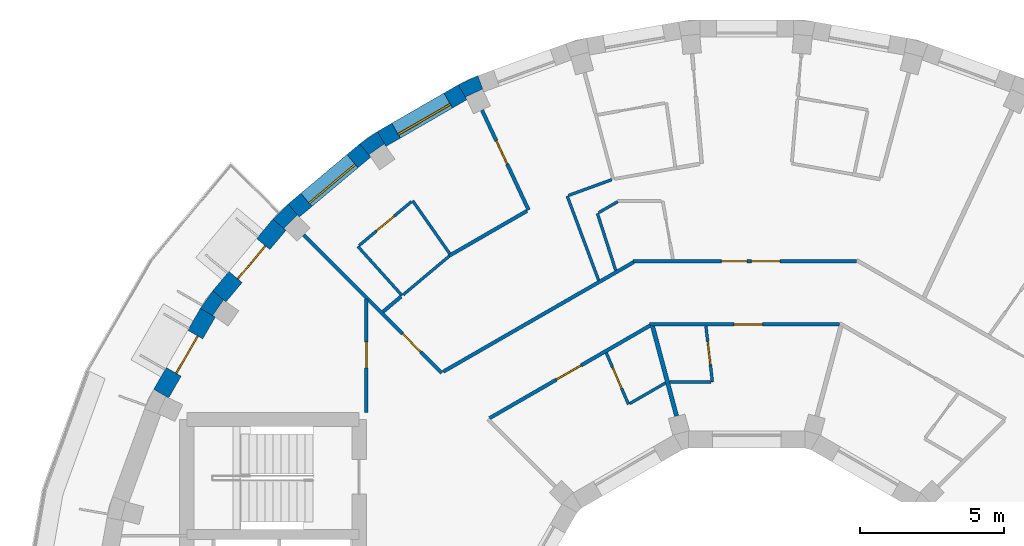
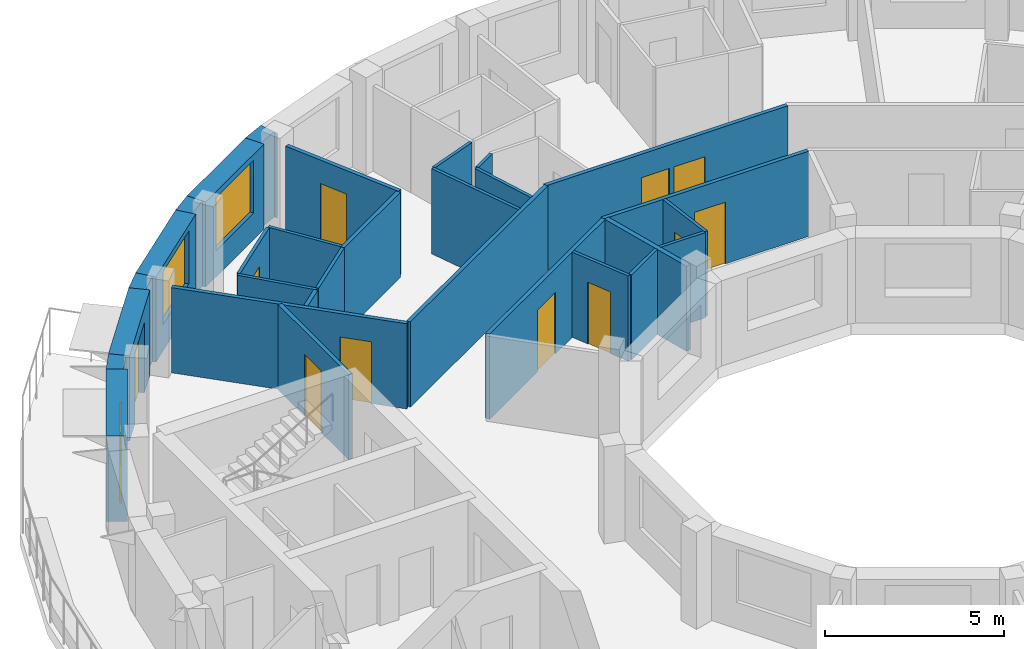
# One storey, part 7 of 10: 30 walls, 12 doors, 2 windows, 14 openings.
"""IFC4 building model written with IfcOpenShell, lengths in metres."""

from ifc_helpers import new_model, si_unit, direction, frame, frame_2d, origin, place, context, subcontext, project, spatial, polyline, rectangle, outline, extrude, material, layer, layer_set, type_object, element, fill, save


model = new_model("IFC4")

# Units and contexts
model_context = context("Model", 3, precision=1e-05, world=origin(), true_north=direction((0.0, 1.0)))
body_context = subcontext(model_context, "Body", "Model", "MODEL_VIEW")
ifc_project = project(units=[si_unit("LENGTHUNIT", "METRE"), si_unit("AREAUNIT", "SQUARE_METRE"), si_unit("VOLUMEUNIT", "CUBIC_METRE"), si_unit("PLANEANGLEUNIT", "RADIAN"), si_unit("MASSUNIT", "GRAM", prefix="KILO")], contexts=[model_context])

# Site, building, storey
site_placement = place(None, origin())
site = spatial("IfcSite", under=ifc_project, at=site_placement, CompositionType="ELEMENT")
building_placement = place(site_placement, origin())
building = spatial("IfcBuilding", under=site, at=building_placement, Name="Saqina Gate Tower", CompositionType="ELEMENT")
storey_placement = place(building_placement, frame((0.0, 0.0, 239.60009765625)))
storey = spatial("IfcBuildingStorey", under=building, at=storey_placement, Name="L68", CompositionType="ELEMENT", Elevation=239.60009765625)

# Walls
ifc_material_1 = material(Name="Brick masonry (buff)", Category="masonry")
wall_type_1 = type_object("IfcWallType", Name="BRICK PIER COPING BUFF", PredefinedType="SOLIDWALL", material=ifc_material_1)
wall_1_placement = place(storey_placement, origin())
element("IfcWall", 1, at=wall_1_placement, inside=storey, type_object=wall_type_1, Name="Pier cap L68 column 12", PredefinedType="SOLIDWALL", context=body_context, shape_type="SweptSolid", body=[
    extrude(outline(polyline([(-9.3642578125, 20.974609375), (-10.048095703125, 20.65576171875), (-9.748291015625, 20.135986328125), (-9.79296875, 20.23193359375), (-9.203857421875, 20.506591796875), (-9.1591796875, 20.410888671875), (-9.3642578125, 20.974609375)])), origin(), (0.0, 0.0, 1.0), 2.89990234375),
])
wall_2_placement = place(storey_placement, origin())
element("IfcWall", 2, at=wall_2_placement, inside=storey, type_object=wall_type_1, Name="Pier cap L68 column 13", PredefinedType="SOLIDWALL", context=body_context, shape_type="SweptSolid", body=[
    extrude(outline(polyline([(-12.8642578125, 19.02978515625), (-13.482421875, 18.59716796875), (-13.0966796875, 18.137451171875), (-13.157470703125, 18.22412109375), (-12.625, 18.596923828125), (-12.564208984375, 18.51025390625), (-12.8642578125, 19.02978515625)])), origin(), (0.0, 0.0, 1.0), 2.89990234375),
])
wall_3_placement = place(storey_placement, origin())
element("IfcWall", 3, at=wall_3_placement, inside=storey, type_object=wall_type_1, Name="Pier cap L68 column 14", PredefinedType="SOLIDWALL", context=body_context, shape_type="SweptSolid", body=[
    extrude(outline(polyline([(-16.5068359375, 15.973388671875), (-16.04736328125, 15.587646484375), (-16.1220703125, 15.662353515625), (-15.662353515625, 16.1220703125), (-15.587646484375, 16.04736328125), (-15.973388671875, 16.5068359375), (-16.5068359375, 15.973388671875)])), origin(), (0.0, 0.0, 1.0), 2.89990234375),
])
wall_4_placement = place(storey_placement, origin())
element("IfcWall", 4, at=wall_4_placement, inside=storey, type_object=wall_type_1, Name="Pier cap L68 column 15", PredefinedType="SOLIDWALL", context=body_context, shape_type="SweptSolid", body=[
    extrude(outline(polyline([(-19.02978515625, 12.8642578125), (-18.51025390625, 12.564208984375), (-18.596923828125, 12.625), (-18.22412109375, 13.157470703125), (-18.137451171875, 13.0966796875), (-18.59716796875, 13.482421875), (-19.02978515625, 12.8642578125)])), origin(), (0.0, 0.0, 1.0), 2.89990234375),
])

# Wall, opening, window
ifc_material_2 = material(Name="Brick masonry (buff)", Category="masonry")
ifc_layer_1 = layer(ifc_material_2, 0.60009765625)
ifc_layer_set_1 = layer_set([ifc_layer_1], Name="FW-BRICK-BUFF")
wall_type_2 = type_object("IfcWallType", Name="FW-BRICK-BUFF", PredefinedType="SOLIDWALL", material=ifc_layer_set_1)
wall_5_placement = place(storey_placement, frame((-9.898193359375, 20.39599609375, 0.0), z_axis=(0.0, 0.0, 1.0), x_axis=(-0.866016800201, -0.500014901547, 0.0)))
wall_5 = element("IfcWall", 5, at=wall_5_placement, inside=storey, type_object=wall_type_2, Name="Facade wall L68 facet 12", PredefinedType="SOLIDWALL", context=body_context, shape_type="SweptSolid", body=[
    extrude(rectangle(XDim=3.251953125, YDim=0.60009765625, at=frame_2d((1.6259765625, 0.0))), origin(), (0.0, 0.0, 1.0), 2.89990234375),
])
opening_1_placement = place(wall_5_placement, frame((0.57568359375, 0.0, 0.89990234375)))
opening_1 = element("IfcOpeningElement", 6, at=opening_1_placement, cuts=wall_5, Name="Opening G20-W10", PredefinedType="OPENING", context=body_context, shape_type="SweptSolid", body=[
    extrude(rectangle(XDim=2.10009765625, YDim=1.800048828125, at=frame_2d((1.050048828125, 0.89990234375))), frame((0.0, 0.31201171875, 0.0), z_axis=(0.0, -1.0, 0.0), x_axis=(1.0, 0.0, 0.0)), (0.0, 0.0, 1.0), 0.6240234375),
])
ifc_material_3 = material(Name="Aluminium glazing", Category="aluminium")
window_type = type_object("IfcWindowType", Name="WN-D", PartitioningType="SINGLE_PANEL", PredefinedType="WINDOW", material=ifc_material_3)
window_1_placement = place(opening_1_placement, origin())
window_1 = element("IfcWindow", 7, at=window_1_placement, inside=storey, type_object=window_type, Name="Window L68 facet 12", OverallHeight=1.800048828125, OverallWidth=2.10009765625, PartitioningType="SINGLE_PANEL", PredefinedType="WINDOW", context=body_context, shape_type="SweptSolid", body=[
    extrude(rectangle(XDim=2.10009765625, YDim=1.800048828125, at=frame_2d((1.050048828125, 0.89990234375))), frame((0.0, 0.179931640625, 0.0), z_axis=(0.0, -1.0, 0.0), x_axis=(1.0, 0.0, 0.0)), (0.0, 0.0, 1.0), 0.06005859375),
])
fill(opening_1, window_1)

wall_6_placement = place(storey_placement, frame((-13.28955078125, 18.3671875, 0.0), z_axis=(0.0, 0.0, 1.0), x_axis=(-0.766056773982, -0.64277291405, 0.0)))
wall_6 = element("IfcWall", 8, at=wall_6_placement, inside=storey, type_object=wall_type_2, Name="Facade wall L68 facet 13", PredefinedType="SOLIDWALL", context=body_context, shape_type="SweptSolid", body=[
    extrude(rectangle(XDim=3.251708984375, YDim=0.60009765625, at=frame_2d((1.6259765625, 0.0))), origin(), (0.0, 0.0, 1.0), 2.89990234375),
])
opening_2_placement = place(wall_6_placement, frame((0.57568359375, 0.0, 0.89990234375)))
opening_2 = element("IfcOpeningElement", 9, at=opening_2_placement, cuts=wall_6, Name="Opening G20-W11", PredefinedType="OPENING", context=body_context, shape_type="SweptSolid", body=[
    extrude(rectangle(XDim=2.10009765625, YDim=1.800048828125, at=frame_2d((1.050048828125, 0.89990234375))), frame((0.0, 0.31201171875, 0.0), z_axis=(0.0, -1.0, 0.0), x_axis=(1.0, 0.0, 0.0)), (0.0, 0.0, 1.0), 0.6240234375),
])
window_2_placement = place(opening_2_placement, origin())
window_2 = element("IfcWindow", 10, at=window_2_placement, inside=storey, type_object=window_type, Name="Window L68 facet 13", OverallHeight=1.800048828125, OverallWidth=2.10009765625, PartitioningType="SINGLE_PANEL", PredefinedType="WINDOW", context=body_context, shape_type="SweptSolid", body=[
    extrude(rectangle(XDim=2.10009765625, YDim=1.800048828125, at=frame_2d((1.050048828125, 0.89990234375))), frame((0.0, 0.179931640625, 0.0), z_axis=(0.0, -1.0, 0.0), x_axis=(1.0, 0.0, 0.0)), (0.0, 0.0, 1.0), 0.06005859375),
])
fill(opening_2, window_2)

# Wall, opening, door
wall_7_placement = place(storey_placement, frame((-16.277099609375, 15.780517578125, 0.0), z_axis=(0.0, 0.0, 1.0), x_axis=(-0.64277291405, -0.766056773982, 0.0)))
wall_7 = element("IfcWall", 11, at=wall_7_placement, inside=storey, type_object=wall_type_2, Name="Facade wall L68 facet 14", PredefinedType="SOLIDWALL", context=body_context, shape_type="SweptSolid", body=[
    extrude(rectangle(XDim=3.251708984375, YDim=0.60009765625, at=frame_2d((1.6259765625, 0.0))), origin(), (0.0, 0.0, 1.0), 2.89990234375),
])
opening_3_placement = place(wall_7_placement, frame((0.875732421875, 0.0, 0.0)))
opening_3 = element("IfcOpeningElement", 12, at=opening_3_placement, cuts=wall_7, Name="Opening G20-D80", PredefinedType="OPENING", context=body_context, shape_type="SweptSolid", body=[
    extrude(rectangle(XDim=1.5, YDim=2.39990234375, at=frame_2d((0.75, 1.199951171875))), frame((0.0, 0.31201171875, 0.0), z_axis=(0.0, -1.0, 0.0), x_axis=(1.0, 0.0, 0.0)), (0.0, 0.0, 1.0), 0.6240234375),
])
ifc_material_4 = material(Name="Aluminium glazing", Category="aluminium")
door_type_1 = type_object("IfcDoorType", Name="GD-D", OperationType="DOUBLE_DOOR_SINGLE_SWING", PredefinedType="DOOR", material=ifc_material_4)
door_1_placement = place(opening_3_placement, frame((1.5, 0.0, 0.0), z_axis=(0.0, 0.0, 1.0), x_axis=(-1.0, 0.0, 0.0)))
door_1 = element("IfcDoor", 13, at=door_1_placement, inside=storey, type_object=door_type_1, Name="Terrace door L68 facet 14", OperationType="DOUBLE_DOOR_SINGLE_SWING", OverallHeight=2.39990234375, OverallWidth=1.5, PredefinedType="DOOR", context=body_context, shape_type="SweptSolid", body=[
    extrude(rectangle(XDim=1.5, YDim=2.39990234375, at=frame_2d((0.75, 1.199951171875))), frame((0.0, -0.0751953125, 0.0), z_axis=(0.0, -1.0, 0.0), x_axis=(1.0, 0.0, 0.0)), (0.0, 0.0, 1.0), 0.050048828125),
])
fill(opening_3, door_1)

wall_8_placement = place(storey_placement, frame((-18.77001953125, 12.71435546875, 0.0), z_axis=(0.0, 0.0, 1.0), x_axis=(-0.500014901547, -0.866016800201, 0.0)))
wall_8 = element("IfcWall", 14, at=wall_8_placement, inside=storey, type_object=wall_type_2, Name="Facade wall L68 facet 15", PredefinedType="SOLIDWALL", context=body_context, shape_type="SweptSolid", body=[
    extrude(rectangle(XDim=3.251953125, YDim=0.60009765625, at=frame_2d((1.6259765625, 0.0))), origin(), (0.0, 0.0, 1.0), 2.89990234375),
])
opening_4_placement = place(wall_8_placement, frame((0.875732421875, 0.0, 0.0)))
opening_4 = element("IfcOpeningElement", 15, at=opening_4_placement, cuts=wall_8, Name="Opening G20-D81", PredefinedType="OPENING", context=body_context, shape_type="SweptSolid", body=[
    extrude(rectangle(XDim=1.5, YDim=2.39990234375, at=frame_2d((0.75, 1.199951171875))), frame((0.0, 0.31201171875, 0.0), z_axis=(0.0, -1.0, 0.0), x_axis=(1.0, 0.0, 0.0)), (0.0, 0.0, 1.0), 0.6240234375),
])
door_2_placement = place(opening_4_placement, frame((1.5, 0.0, 0.0), z_axis=(0.0, 0.0, 1.0), x_axis=(-1.0, 0.0, 0.0)))
door_2 = element("IfcDoor", 16, at=door_2_placement, inside=storey, type_object=door_type_1, Name="Terrace door L68 facet 15", OperationType="DOUBLE_DOOR_SINGLE_SWING", OverallHeight=2.39990234375, OverallWidth=1.5, PredefinedType="DOOR", context=body_context, shape_type="SweptSolid", body=[
    extrude(rectangle(XDim=1.5, YDim=2.39990234375, at=frame_2d((0.75, 1.199951171875))), frame((0.0, -0.0751953125, 0.0), z_axis=(0.0, -1.0, 0.0), x_axis=(1.0, 0.0, 0.0)), (0.0, 0.0, 1.0), 0.050048828125),
])
fill(opening_4, door_2)

ifc_material_5 = material(Name="Gypsum board on steel studs, 100 mm", Category="steel")
ifc_layer_2 = layer(ifc_material_5, 0.10009765625)
ifc_layer_set_2 = layer_set([ifc_layer_2], Name="PARTITION 100")
wall_type_3 = type_object("IfcWallType", Name="PARTITION 100", PredefinedType="PARTITIONING", material=ifc_layer_set_2)
wall_9_placement = place(storey_placement, frame((-1.421875, 12.247802734375, 0.0), z_axis=(0.0, 0.0, 1.0), x_axis=(0.115265376048, -0.993334733654, 0.0)))
wall_9 = element("IfcWall", 17, at=wall_9_placement, inside=storey, type_object=wall_type_3, Name="PARTITION PW3-02", PredefinedType="PARTITIONING", context=body_context, shape_type="SweptSolid", body=[
    extrude(rectangle(XDim=1.95068359375, YDim=0.10009765625, at=frame_2d((0.975341796875, 0.0))), origin(), (0.0, 0.0, 1.0), 2.89990234375),
])
opening_5_placement = place(wall_9_placement, frame((0.544189453125, 0.0, 0.0)))
opening_5 = element("IfcOpeningElement", 18, at=opening_5_placement, cuts=wall_9, Name="Opening G20-D11", PredefinedType="OPENING", context=body_context, shape_type="SweptSolid", body=[
    extrude(rectangle(XDim=0.800048828125, YDim=2.10009765625, at=frame_2d((0.39990234375, 1.050048828125))), frame((0.0, 0.06201171875, 0.0), z_axis=(0.0, -1.0, 0.0), x_axis=(1.0, 0.0, 0.0)), (0.0, 0.0, 1.0), 0.1240234375),
])
ifc_material_6 = material(Name="Timber door leaf, 800 mm", Category="wood")
door_type_2 = type_object("IfcDoorType", Name="DOOR 800 TIMBER", OperationType="SINGLE_SWING_LEFT", PredefinedType="DOOR", material=ifc_material_6)
door_3_placement = place(opening_5_placement, origin())
door_3 = element("IfcDoor", 19, at=door_3_placement, inside=storey, type_object=door_type_2, Name="DOOR G20-D11", OperationType="SINGLE_SWING_LEFT", OverallHeight=2.10009765625, OverallWidth=0.800048828125, PredefinedType="DOOR", context=body_context, shape_type="SweptSolid", body=[
    extrude(rectangle(XDim=0.800048828125, YDim=2.10009765625, at=frame_2d((0.39990234375, 1.050048828125))), frame((0.0, 0.02490234375, 0.0), z_axis=(0.0, -1.0, 0.0), x_axis=(1.0, 0.0, 0.0)), (0.0, 0.0, 1.0), 0.050048828125),
])
fill(opening_5, door_3)

# Walls
wall_10_placement = place(storey_placement, frame((-5.201904296875, 16.176025390625, 0.0), z_axis=(0.0, 0.0, 1.0), x_axis=(0.305778015567, -0.95210283331, 0.0)))
element("IfcWall", 20, at=wall_10_placement, inside=storey, type_object=wall_type_3, Name="PARTITION PW3-07", PredefinedType="PARTITIONING", context=body_context, shape_type="SweptSolid", body=[
    extrude(rectangle(XDim=2.08544921875, YDim=0.10009765625, at=frame_2d((1.042724609375, 0.0))), origin(), (0.0, 0.0, 1.0), 2.89990234375),
])
wall_11_placement = place(storey_placement, frame((-6.254150390625, 16.783447265625, 0.0), z_axis=(0.0, 0.0, 1.0), x_axis=(0.349354612584, -0.936990584086, 0.0)))
element("IfcWall", 21, at=wall_11_placement, inside=storey, type_object=wall_type_3, Name="PARTITION PW3-09", PredefinedType="PARTITIONING", context=body_context, shape_type="SweptSolid", body=[
    extrude(rectangle(XDim=3.132080078125, YDim=0.10009765625, at=frame_2d((1.56591796875, 0.0))), origin(), (0.0, 0.0, 1.0), 2.89990234375),
])

# Wall, opening, door
wall_12_placement = place(storey_placement, frame((-4.89208984375, 11.317626953125, 0.0), z_axis=(0.0, 0.0, 1.0), x_axis=(0.396862705984, -0.917877983503, 0.0)))
wall_12 = element("IfcWall", 22, at=wall_12_placement, inside=storey, type_object=wall_type_3, Name="PARTITION PW3-10", PredefinedType="PARTITIONING", context=body_context, shape_type="SweptSolid", body=[
    extrude(rectangle(XDim=1.95068359375, YDim=0.10009765625, at=frame_2d((0.975341796875, 0.0))), origin(), (0.0, 0.0, 1.0), 2.89990234375),
])
opening_6_placement = place(wall_12_placement, frame((0.544189453125, 0.0, 0.0)))
opening_6 = element("IfcOpeningElement", 23, at=opening_6_placement, cuts=wall_12, Name="Opening G20-D14", PredefinedType="OPENING", context=body_context, shape_type="SweptSolid", body=[
    extrude(rectangle(XDim=0.800048828125, YDim=2.10009765625, at=frame_2d((0.39990234375, 1.050048828125))), frame((0.0, 0.06201171875, 0.0), z_axis=(0.0, -1.0, 0.0), x_axis=(1.0, 0.0, 0.0)), (0.0, 0.0, 1.0), 0.1240234375),
])
door_4_placement = place(opening_6_placement, frame((0.800048828125, 0.0, 0.0), z_axis=(0.0, 0.0, 1.0), x_axis=(-1.0, 0.0, 0.0)))
door_4 = element("IfcDoor", 24, at=door_4_placement, inside=storey, type_object=door_type_2, Name="DOOR G20-D14", OperationType="SINGLE_SWING_RIGHT", OverallHeight=2.10009765625, OverallWidth=0.800048828125, PredefinedType="DOOR", context=body_context, shape_type="SweptSolid", body=[
    extrude(rectangle(XDim=0.800048828125, YDim=2.10009765625, at=frame_2d((0.39990234375, 1.050048828125))), frame((0.0, 0.02490234375, 0.0), z_axis=(0.0, -1.0, 0.0), x_axis=(1.0, 0.0, 0.0)), (0.0, 0.0, 1.0), 0.050048828125),
])
fill(opening_6, door_4)

# Walls
wall_13_placement = place(storey_placement, frame((-11.63623046875, 16.6181640625, 0.0), z_axis=(0.0, 0.0, 1.0), x_axis=(0.573600447395, -0.819135231051, 0.0)))
element("IfcWall", 25, at=wall_13_placement, inside=storey, type_object=wall_type_3, Name="PARTITION PW3-12", PredefinedType="PARTITIONING", context=body_context, shape_type="SweptSolid", body=[
    extrude(rectangle(XDim=2.254150390625, YDim=0.10009765625, at=frame_2d((1.126953125, 0.0))), origin(), (0.0, 0.0, 1.0), 2.89990234375),
])
wall_14_placement = place(storey_placement, frame((-13.54248046875, 15.0224609375, 0.0), z_axis=(0.0, 0.0, 1.0), x_axis=(0.669234230629, -0.743051508682, 0.0)))
element("IfcWall", 26, at=wall_14_placement, inside=storey, type_object=wall_type_3, Name="PARTITION PW3-14", PredefinedType="PARTITIONING", context=body_context, shape_type="SweptSolid", body=[
    extrude(rectangle(XDim=2.302001953125, YDim=0.10009765625, at=frame_2d((1.15087890625, 0.0))), origin(), (0.0, 0.0, 1.0), 2.89990234375),
])
wall_15_placement = place(storey_placement, frame((-2.68798828125, 10.31005859375, 0.0), z_axis=(0.0, 0.0, 1.0), x_axis=(1.0, 0.0, 0.0)))
element("IfcWall", 27, at=wall_15_placement, inside=storey, type_object=wall_type_3, Name="PARTITION PW3-26", PredefinedType="PARTITIONING", context=body_context, shape_type="SweptSolid", body=[
    extrude(rectangle(XDim=1.44091796875, YDim=0.10009765625, at=frame_2d((0.720458984375, 0.0))), origin(), (0.0, 0.0, 1.0), 2.89990234375),
])
wall_16_placement = place(storey_placement, frame((-6.206298828125, 16.802978515625, 0.0), z_axis=(0.0, 0.0, 1.0), x_axis=(0.939561559708, 0.342380016237, 0.0)))
element("IfcWall", 28, at=wall_16_placement, inside=storey, type_object=wall_type_3, Name="PARTITION PW3-32", PredefinedType="PARTITIONING", context=body_context, shape_type="SweptSolid", body=[
    extrude(rectangle(XDim=1.60009765625, YDim=0.10009765625, at=frame_2d((0.800048828125, 0.0))), origin(), (0.0, 0.0, 1.0), 2.89990234375),
])
wall_17_placement = place(storey_placement, frame((-4.07470703125, 9.552001953125, 0.0), z_axis=(0.0, 0.0, 1.0), x_axis=(0.865843856352, 0.500314317622, 0.0)))
element("IfcWall", 29, at=wall_17_placement, inside=storey, type_object=wall_type_3, Name="PARTITION PW3-35", PredefinedType="PARTITIONING", context=body_context, shape_type="SweptSolid", body=[
    extrude(rectangle(XDim=1.43994140625, YDim=0.10009765625, at=frame_2d((0.719970703125, 0.0))), origin(), (0.0, 0.0, 1.0), 2.89990234375),
])
wall_18_placement = place(storey_placement, frame((-5.15673828125, 16.2021484375, 0.0), z_axis=(0.0, 0.0, 1.0), x_axis=(0.865797482265, 0.500394564022, 0.0)))
element("IfcWall", 30, at=wall_18_placement, inside=storey, type_object=wall_type_3, Name="PARTITION PW3-36", PredefinedType="PARTITIONING", context=body_context, shape_type="SweptSolid", body=[
    extrude(rectangle(XDim=0.76513671875, YDim=0.10009765625, at=frame_2d((0.382568359375, 0.0))), origin(), (0.0, 0.0, 1.0), 2.89990234375),
])
wall_19_placement = place(storey_placement, frame((-11.963623046875, 13.34423828125, 0.0), z_axis=(0.0, 0.0, 1.0), x_axis=(0.766141495573, 0.64267192934, 0.0)))
element("IfcWall", 31, at=wall_19_placement, inside=storey, type_object=wall_type_3, Name="PARTITION PW3-38", PredefinedType="PARTITIONING", context=body_context, shape_type="SweptSolid", body=[
    extrude(rectangle(XDim=2.092041015625, YDim=0.10009765625, at=frame_2d((1.0458984375, 0.0))), origin(), (0.0, 0.0, 1.0), 2.89990234375),
])

# Wall, opening, door
wall_20_placement = place(storey_placement, frame((-13.502685546875, 15.055908203125, 0.0), z_axis=(0.0, 0.0, 1.0), x_axis=(0.766160636549, 0.642649110326, 0.0)))
wall_20 = element("IfcWall", 32, at=wall_20_placement, inside=storey, type_object=wall_type_3, Name="PARTITION PW3-39", PredefinedType="PARTITIONING", context=body_context, shape_type="SweptSolid", body=[
    extrude(rectangle(XDim=2.3837890625, YDim=0.10009765625, at=frame_2d((1.19189453125, 0.0))), origin(), (0.0, 0.0, 1.0), 2.89990234375),
])
opening_7_placement = place(wall_20_placement, frame((0.791259765625, 0.0, 0.0)))
opening_7 = element("IfcOpeningElement", 33, at=opening_7_placement, cuts=wall_20, Name="Opening G20-D17", PredefinedType="OPENING", context=body_context, shape_type="SweptSolid", body=[
    extrude(rectangle(XDim=0.800048828125, YDim=2.10009765625, at=frame_2d((0.39990234375, 1.050048828125))), frame((0.0, 0.06201171875, 0.0), z_axis=(0.0, -1.0, 0.0), x_axis=(1.0, 0.0, 0.0)), (0.0, 0.0, 1.0), 0.1240234375),
])
door_5_placement = place(opening_7_placement, origin())
door_5 = element("IfcDoor", 34, at=door_5_placement, inside=storey, type_object=door_type_2, Name="DOOR G20-D17", OperationType="SINGLE_SWING_LEFT", OverallHeight=2.10009765625, OverallWidth=0.800048828125, PredefinedType="DOOR", context=body_context, shape_type="SweptSolid", body=[
    extrude(rectangle(XDim=0.800048828125, YDim=2.10009765625, at=frame_2d((0.39990234375, 1.050048828125))), frame((0.0, 0.02490234375, 0.0), z_axis=(0.0, -1.0, 0.0), x_axis=(1.0, 0.0, 0.0)), (0.0, 0.0, 1.0), 0.050048828125),
])
fill(opening_7, door_5)

ifc_material_7 = material(Name="Gypsum board on steel studs, 125 mm, fire rated", Category="steel")
ifc_layer_3 = layer(ifc_material_7, 0.125)
ifc_layer_set_3 = layer_set([ifc_layer_3], Name="PARTITION EI 30 125")
wall_type_4 = type_object("IfcWallType", Name="PARTITION EI 30 125", PredefinedType="PARTITIONING", material=ifc_layer_set_3)
wall_21_placement = place(storey_placement, frame((-9.22021484375, 19.770751953125, 0.0), z_axis=(0.0, 0.0, 1.0), x_axis=(0.422997061032, -0.906131053633, 0.0)))
wall_21 = element("IfcWall", 35, at=wall_21_placement, inside=storey, type_object=wall_type_4, Name="PARTITION PW1-05", PredefinedType="PARTITIONING", context=body_context, shape_type="SweptSolid", body=[
    extrude(rectangle(XDim=3.83251953125, YDim=0.125, at=frame_2d((1.916259765625, 0.0))), origin(), (0.0, 0.0, 1.0), 2.89990234375),
])
opening_8_placement = place(wall_21_placement, frame((1.17578125, 0.0, 0.0)))
opening_8 = element("IfcOpeningElement", 36, at=opening_8_placement, cuts=wall_21, Name="Opening G20-D15", PredefinedType="OPENING", context=body_context, shape_type="SweptSolid", body=[
    extrude(rectangle(XDim=0.89990234375, YDim=2.10009765625, at=frame_2d((0.449951171875, 1.050048828125))), frame((0.0, 0.074462890625, 0.0), z_axis=(0.0, -1.0, 0.0), x_axis=(1.0, 0.0, 0.0)), (0.0, 0.0, 1.0), 0.14892578125),
])
ifc_material_8 = material(Name="Fire door leaf EI 30, 900 mm")
door_type_3 = type_object("IfcDoorType", Name="DOOR 900 EI 30", OperationType="SINGLE_SWING_LEFT", PredefinedType="DOOR", material=ifc_material_8)
door_6_placement = place(opening_8_placement, origin())
door_6 = element("IfcDoor", 37, at=door_6_placement, inside=storey, type_object=door_type_3, Name="DOOR G20-D15", OperationType="SINGLE_SWING_LEFT", OverallHeight=2.10009765625, OverallWidth=0.89990234375, PredefinedType="DOOR", context=body_context, shape_type="SweptSolid", body=[
    extrude(rectangle(XDim=0.89990234375, YDim=2.10009765625, at=frame_2d((0.449951171875, 1.050048828125))), frame((0.0, 0.02490234375, 0.0), z_axis=(0.0, -1.0, 0.0), x_axis=(1.0, 0.0, 0.0)), (0.0, 0.0, 1.0), 0.050048828125),
])
fill(opening_8, door_6)

wall_22_placement = place(storey_placement, frame((-15.425537109375, 15.425537109375, 0.0), z_axis=(0.0, 0.0, 1.0), x_axis=(0.707106781187, -0.707106781187, 0.0)))
wall_22 = element("IfcWall", 38, at=wall_22_placement, inside=storey, type_object=wall_type_4, Name="PARTITION PW1-06", PredefinedType="PARTITIONING", context=body_context, shape_type="SweptSolid", body=[
    extrude(rectangle(XDim=6.793212890625, YDim=0.125, at=frame_2d((3.396484375, 0.0))), origin(), (0.0, 0.0, 1.0), 2.89990234375),
])
opening_9_placement = place(wall_22_placement, frame((4.8642578125, 0.0, 0.0)))
opening_9 = element("IfcOpeningElement", 39, at=opening_9_placement, cuts=wall_22, Name="Opening G20-D18", PredefinedType="OPENING", context=body_context, shape_type="SweptSolid", body=[
    extrude(rectangle(XDim=0.89990234375, YDim=2.10009765625, at=frame_2d((0.449951171875, 1.050048828125))), frame((0.0, 0.074462890625, 0.0), z_axis=(0.0, -1.0, 0.0), x_axis=(1.0, 0.0, 0.0)), (0.0, 0.0, 1.0), 0.14892578125),
])
door_7_placement = place(opening_9_placement, origin())
door_7 = element("IfcDoor", 40, at=door_7_placement, inside=storey, type_object=door_type_3, Name="DOOR G20-D18", OperationType="SINGLE_SWING_RIGHT", OverallHeight=2.10009765625, OverallWidth=0.89990234375, PredefinedType="DOOR", context=body_context, shape_type="SweptSolid", body=[
    extrude(rectangle(XDim=0.89990234375, YDim=2.10009765625, at=frame_2d((0.449951171875, 1.050048828125))), frame((0.0, 0.02490234375, 0.0), z_axis=(0.0, -1.0, 0.0), x_axis=(1.0, 0.0, 0.0)), (0.0, 0.0, 1.0), 0.050048828125),
])
fill(opening_9, door_7)

wall_23_placement = place(storey_placement, frame((-3.384521484375, 12.31005859375, 0.0), z_axis=(0.0, 0.0, 1.0), x_axis=(1.0, 0.0, 0.0)))
wall_23 = element("IfcWall", 41, at=wall_23_placement, inside=storey, type_object=wall_type_4, Name="PARTITION PW1-19", PredefinedType="PARTITIONING", context=body_context, shape_type="SweptSolid", body=[
    extrude(rectangle(XDim=6.6201171875, YDim=0.125, at=frame_2d((3.31005859375, 0.0))), origin(), (0.0, 0.0, 1.0), 2.89990234375),
])
opening_10_placement = place(wall_23_placement, frame((2.935546875, 0.0, 0.0)))
opening_10 = element("IfcOpeningElement", 42, at=opening_10_placement, cuts=wall_23, Name="Opening G20-D08", PredefinedType="OPENING", context=body_context, shape_type="SweptSolid", body=[
    extrude(rectangle(XDim=1.0, YDim=2.10009765625, at=frame_2d((0.5, 1.050048828125))), frame((0.0, 0.074462890625, 0.0), z_axis=(0.0, -1.0, 0.0), x_axis=(1.0, 0.0, 0.0)), (0.0, 0.0, 1.0), 0.14892578125),
])
ifc_material_9 = material(Name="Fire door leaf EI 30, 1000 mm")
door_type_4 = type_object("IfcDoorType", Name="DOOR 1000 EI 30", OperationType="SINGLE_SWING_LEFT", PredefinedType="DOOR", material=ifc_material_9)
door_8_placement = place(opening_10_placement, frame((1.0, 0.0, 0.0), z_axis=(0.0, 0.0, 1.0), x_axis=(-1.0, 0.0, 0.0)))
door_8 = element("IfcDoor", 43, at=door_8_placement, inside=storey, type_object=door_type_4, Name="DOOR G20-D08", OperationType="SINGLE_SWING_LEFT", OverallHeight=2.10009765625, OverallWidth=1.0, PredefinedType="DOOR", context=body_context, shape_type="SweptSolid", body=[
    extrude(rectangle(XDim=1.0, YDim=2.10009765625, at=frame_2d((0.5, 1.050048828125))), frame((0.0, 0.02490234375, 0.0), z_axis=(0.0, -1.0, 0.0), x_axis=(1.0, 0.0, 0.0)), (0.0, 0.0, 1.0), 0.050048828125),
])
fill(opening_10, door_8)

# Wall, openings, doors
wall_24_placement = place(storey_placement, frame((-3.960205078125, 14.510009765625, 0.0), z_axis=(0.0, 0.0, 1.0), x_axis=(1.0, 0.0, 0.0)))
wall_24 = element("IfcWall", 44, at=wall_24_placement, inside=storey, type_object=wall_type_4, Name="PARTITION PW1-20", PredefinedType="PARTITIONING", context=body_context, shape_type="SweptSolid", body=[
    extrude(rectangle(XDim=7.78466796875, YDim=0.125, at=frame_2d((3.892333984375, 0.0))), origin(), (0.0, 0.0, 1.0), 2.89990234375),
])
opening_11_placement = place(wall_24_placement, frame((4.12451171875, 0.0, 0.0)))
opening_11 = element("IfcOpeningElement", 45, at=opening_11_placement, cuts=wall_24, Name="Opening G20-D07", PredefinedType="OPENING", context=body_context, shape_type="SweptSolid", body=[
    extrude(rectangle(XDim=1.0, YDim=2.10009765625, at=frame_2d((0.5, 1.050048828125))), frame((0.0, 0.074462890625, 0.0), z_axis=(0.0, -1.0, 0.0), x_axis=(1.0, 0.0, 0.0)), (0.0, 0.0, 1.0), 0.14892578125),
])
opening_12_placement = place(wall_24_placement, frame((3.07470703125, 0.0, 0.0)))
opening_12 = element("IfcOpeningElement", 46, at=opening_12_placement, cuts=wall_24, Name="Opening G20-D09", PredefinedType="OPENING", context=body_context, shape_type="SweptSolid", body=[
    extrude(rectangle(XDim=0.89990234375, YDim=2.10009765625, at=frame_2d((0.449951171875, 1.050048828125))), frame((0.0, 0.074462890625, 0.0), z_axis=(0.0, -1.0, 0.0), x_axis=(1.0, 0.0, 0.0)), (0.0, 0.0, 1.0), 0.14892578125),
])
door_9_placement = place(opening_11_placement, origin())
door_9 = element("IfcDoor", 47, at=door_9_placement, inside=storey, type_object=door_type_4, Name="DOOR G20-D07", OperationType="SINGLE_SWING_RIGHT", OverallHeight=2.10009765625, OverallWidth=1.0, PredefinedType="DOOR", context=body_context, shape_type="SweptSolid", body=[
    extrude(rectangle(XDim=1.0, YDim=2.10009765625, at=frame_2d((0.5, 1.050048828125))), frame((0.0, 0.02490234375, 0.0), z_axis=(0.0, -1.0, 0.0), x_axis=(1.0, 0.0, 0.0)), (0.0, 0.0, 1.0), 0.050048828125),
])
fill(opening_11, door_9)
door_10_placement = place(opening_12_placement, origin())
door_10 = element("IfcDoor", 48, at=door_10_placement, inside=storey, type_object=door_type_3, Name="DOOR G20-D09", OperationType="SINGLE_SWING_LEFT", OverallHeight=2.10009765625, OverallWidth=0.89990234375, PredefinedType="DOOR", context=body_context, shape_type="SweptSolid", body=[
    extrude(rectangle(XDim=0.89990234375, YDim=2.10009765625, at=frame_2d((0.449951171875, 1.050048828125))), frame((0.0, 0.02490234375, 0.0), z_axis=(0.0, -1.0, 0.0), x_axis=(1.0, 0.0, 0.0)), (0.0, 0.0, 1.0), 0.050048828125),
])
fill(opening_12, door_10)

# Wall
wall_25_placement = place(storey_placement, frame((-10.572998046875, 10.662353515625, 0.0), z_axis=(0.0, 0.0, 1.0), x_axis=(0.866792171996, 0.498669560497, 0.0)))
element("IfcWall", 49, at=wall_25_placement, inside=storey, type_object=wall_type_4, Name="PARTITION PW1-23", PredefinedType="PARTITIONING", context=body_context, shape_type="SweptSolid", body=[
    extrude(rectangle(XDim=7.650634765625, YDim=0.125, at=frame_2d((3.8251953125, 0.0))), origin(), (0.0, 0.0, 1.0), 2.89990234375),
])

# Wall, opening, door
wall_26_placement = place(storey_placement, frame((-8.957763671875, 9.043212890625, 0.0), z_axis=(0.0, 0.0, 1.0), x_axis=(0.866083637917, 0.499899121956, 0.0)))
wall_26 = element("IfcWall", 50, at=wall_26_placement, inside=storey, type_object=wall_type_4, Name="PARTITION PW1-26", PredefinedType="PARTITIONING", context=body_context, shape_type="SweptSolid", body=[
    extrude(rectangle(XDim=6.459716796875, YDim=0.125, at=frame_2d((3.22998046875, 0.0))), origin(), (0.0, 0.0, 1.0), 2.89990234375),
])
opening_13_placement = place(wall_26_placement, frame((2.68505859375, 0.0, 0.0)))
opening_13 = element("IfcOpeningElement", 51, at=opening_13_placement, cuts=wall_26, Name="Opening G20-D16", PredefinedType="OPENING", context=body_context, shape_type="SweptSolid", body=[
    extrude(rectangle(XDim=1.0, YDim=2.10009765625, at=frame_2d((0.5, 1.050048828125))), frame((0.0, 0.074462890625, 0.0), z_axis=(0.0, -1.0, 0.0), x_axis=(1.0, 0.0, 0.0)), (0.0, 0.0, 1.0), 0.14892578125),
])
door_11_placement = place(opening_13_placement, frame((1.0, 0.0, 0.0), z_axis=(0.0, 0.0, 1.0), x_axis=(-1.0, 0.0, 0.0)))
door_11 = element("IfcDoor", 52, at=door_11_placement, inside=storey, type_object=door_type_4, Name="DOOR G20-D16", OperationType="SINGLE_SWING_RIGHT", OverallHeight=2.10009765625, OverallWidth=1.0, PredefinedType="DOOR", context=body_context, shape_type="SweptSolid", body=[
    extrude(rectangle(XDim=1.0, YDim=2.10009765625, at=frame_2d((0.5, 1.050048828125))), frame((0.0, 0.02490234375, 0.0), z_axis=(0.0, -1.0, 0.0), x_axis=(1.0, 0.0, 0.0)), (0.0, 0.0, 1.0), 0.050048828125),
])
fill(opening_13, door_11)

# Walls
wall_27_placement = place(storey_placement, frame((-10.36865234375, 14.6982421875, 0.0), z_axis=(0.0, 0.0, 1.0), x_axis=(0.866303639744, 0.499517771221, 0.0)))
element("IfcWall", 53, at=wall_27_placement, inside=storey, type_object=wall_type_4, Name="PARTITION PW1-27", PredefinedType="PARTITIONING", context=body_context, shape_type="SweptSolid", body=[
    extrude(rectangle(XDim=3.13232421875, YDim=0.125, at=frame_2d((1.566162109375, 0.0))), origin(), (0.0, 0.0, 1.0), 2.89990234375),
])
wall_28_placement = place(storey_placement, frame((-12.6650390625, 12.755126953125, 0.0), z_axis=(0.0, 0.0, 1.0), x_axis=(0.765881991106, 0.642981162788, 0.0)))
element("IfcWall", 54, at=wall_28_placement, inside=storey, type_object=wall_type_4, Name="PARTITION PW1-28", PredefinedType="PARTITIONING", context=body_context, shape_type="SweptSolid", body=[
    extrude(rectangle(XDim=0.814453125, YDim=0.125, at=frame_2d((0.4072265625, 0.0))), origin(), (0.0, 0.0, 1.0), 2.89990234375),
])

# Wall, opening, door
wall_29_placement = place(storey_placement, frame((-13.25, 9.25, 0.0), z_axis=(0.0, 0.0, 1.0), x_axis=(0.0, 1.0, 0.0)))
wall_29 = element("IfcWall", 55, at=wall_29_placement, inside=storey, type_object=wall_type_4, Name="PARTITION PW1-42", PredefinedType="PARTITIONING", context=body_context, shape_type="SweptSolid", body=[
    extrude(rectangle(XDim=3.9375, YDim=0.125, at=frame_2d((1.96875, 0.0))), origin(), (0.0, 0.0, 1.0), 2.89990234375),
])
opening_14_placement = place(wall_29_placement, frame((1.550048828125, 0.0, 0.0)))
opening_14 = element("IfcOpeningElement", 56, at=opening_14_placement, cuts=wall_29, Name="Opening G20-D19", PredefinedType="OPENING", context=body_context, shape_type="SweptSolid", body=[
    extrude(rectangle(XDim=0.89990234375, YDim=2.10009765625, at=frame_2d((0.449951171875, 1.050048828125))), frame((0.0, 0.074462890625, 0.0), z_axis=(0.0, -1.0, 0.0), x_axis=(1.0, 0.0, 0.0)), (0.0, 0.0, 1.0), 0.14892578125),
])
door_12_placement = place(opening_14_placement, origin())
door_12 = element("IfcDoor", 57, at=door_12_placement, inside=storey, type_object=door_type_3, Name="DOOR G20-D19", OperationType="SINGLE_SWING_RIGHT", OverallHeight=2.10009765625, OverallWidth=0.89990234375, PredefinedType="DOOR", context=body_context, shape_type="SweptSolid", body=[
    extrude(rectangle(XDim=0.89990234375, YDim=2.10009765625, at=frame_2d((0.449951171875, 1.050048828125))), frame((0.0, 0.02490234375, 0.0), z_axis=(0.0, -1.0, 0.0), x_axis=(1.0, 0.0, 0.0)), (0.0, 0.0, 1.0), 0.050048828125),
])
fill(opening_14, door_12)

# Wall
ifc_material_10 = material(Name="Gypsum board on steel studs, 150 mm, fire rated", Category="steel")
ifc_layer_4 = layer(ifc_material_10, 0.14990234375)
ifc_layer_set_4 = layer_set([ifc_layer_4], Name="PARTITION EI 60 150")
wall_type_5 = type_object("IfcWallType", Name="PARTITION EI 60 150", PredefinedType="PARTITIONING", material=ifc_layer_set_4)
wall_30_placement = place(storey_placement, frame((-3.28125, 12.249755859375, 0.0), z_axis=(0.0, 0.0, 1.0), x_axis=(0.258127010189, -0.966110990834, 0.0)))
element("IfcWall", 58, at=wall_30_placement, inside=storey, type_object=wall_type_5, Name="PARTITION PW2-01", PredefinedType="PARTITIONING", context=body_context, shape_type="SweptSolid", body=[
    extrude(rectangle(XDim=3.239501953125, YDim=0.14990234375, at=frame_2d((1.61962890625, 0.0))), origin(), (0.0, 0.0, 1.0), 2.89990234375),
])

save(model, "model.ifc")
